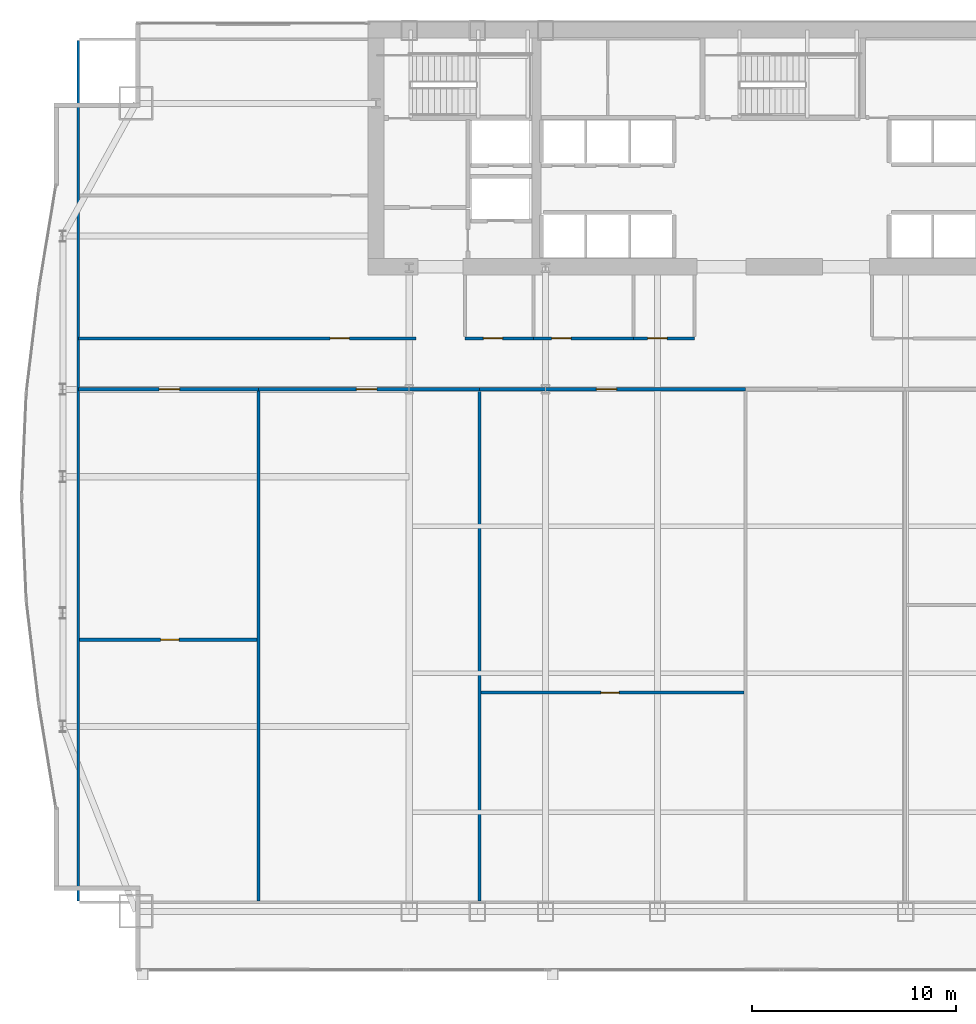
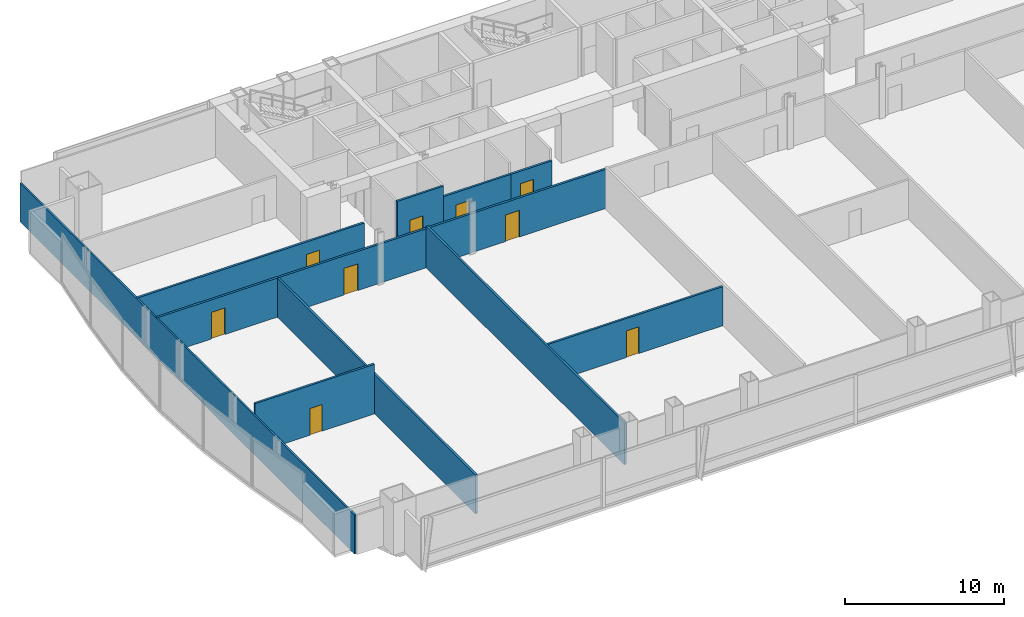
# One storey, part 26 of 32: 12 walls, 9 doors, 9 openings.
"""IFC4 building model written with IfcOpenShell, lengths in metres."""

from ifc_helpers import new_model, si_unit, direction, frame, frame_2d, origin, place, context, subcontext, project, spatial, rectangle, extrude, material, layer, layer_set, type_object, element, fill, save


model = new_model("IFC4")

# Units and contexts
model_context = context("Model", 3, precision=1e-05, world=origin(), true_north=direction((0.0, 1.0)))
body_context = subcontext(model_context, "Body", "Model", "MODEL_VIEW")
ifc_project = project(units=[si_unit("LENGTHUNIT", "METRE"), si_unit("AREAUNIT", "SQUARE_METRE"), si_unit("VOLUMEUNIT", "CUBIC_METRE"), si_unit("PLANEANGLEUNIT", "RADIAN"), si_unit("MASSUNIT", "GRAM", prefix="KILO")], contexts=[model_context])

# Site, building, storey
site_placement = place(None, origin())
site = spatial("IfcSite", under=ifc_project, at=site_placement, CompositionType="ELEMENT")
building_placement = place(site_placement, origin())
building = spatial("IfcBuilding", under=site, at=building_placement, Name="Khoronbel Lancet Exchange", CompositionType="ELEMENT")
storey_placement = place(building_placement, frame((0.0, 0.0, 65.800048828125)))
storey = spatial("IfcBuildingStorey", under=building, at=storey_placement, Name="L15", CompositionType="ELEMENT", Elevation=65.800048828125)

# Wall, opening, door
ifc_material_1 = material(Name="Acoustic Metal-Stud & Mineral-Wool Gypsum Partition 120 mm", Category="gypsum")
ifc_layer_1 = layer(ifc_material_1, 0.1201171875, Name="Acoustic Metal-Stud & Mineral-Wool Gypsum Partition 120 mm")
ifc_layer_set_1 = layer_set([ifc_layer_1], Name="Acoustic Metal-Stud & Mineral-Wool Gypsum Partition 120 mm")
wall_type_1 = type_object("IfcWallType", Name="WL-PRT120", PredefinedType="PARTITIONING", material=ifc_layer_set_1)
wall_1_placement = place(storey_placement, frame((2.094970703125, 23.445068359375, 0.0), z_axis=(0.0, 0.0, 1.0), x_axis=(1.0, 0.0, 0.0)))
wall_1 = element("IfcWall", 1, at=wall_1_placement, inside=storey, type_object=wall_type_1, Name="Level L15 interior partition PW-Z1S-H1", PredefinedType="PARTITIONING", context=body_context, shape_type="SweptSolid", body=[
    extrude(rectangle(XDim=8.66845703125, YDim=0.14990234375, at=frame_2d((4.334228515625, 0.0))), origin(), (0.0, 0.0, 1.0), 3.820068359375),
])
opening_1_placement = place(wall_1_placement, frame((3.966064453125, 0.0, 0.0)))
opening_1 = element("IfcOpeningElement", 2, at=opening_1_placement, cuts=wall_1, Name="Opening D5", PredefinedType="OPENING", context=body_context, shape_type="SweptSolid", body=[
    extrude(rectangle(XDim=0.89990234375, YDim=2.050048828125, at=frame_2d((0.449951171875, 1.02490234375))), frame((0.0, 0.0849609375, 0.0), z_axis=(0.0, -1.0, 0.0), x_axis=(1.0, 0.0, 0.0)), (0.0, 0.0, 1.0), 0.169921875),
])
ifc_material_2 = material(Name="Acoustic Timber Pantry & Support Door", Category="wood")
door_type_1 = type_object("IfcDoorType", Name="DR-D5", OperationType="NOTDEFINED", PredefinedType="DOOR", material=ifc_material_2)
door_1_placement = place(opening_1_placement, origin())
door_1 = element("IfcDoor", 3, at=door_1_placement, inside=storey, type_object=door_type_1, Name="Z1S inner door 1 L15-1", OperationType="SINGLE_SWING_LEFT", OverallHeight=2.050048828125, OverallWidth=0.89990234375, PredefinedType="DOOR", context=body_context, shape_type="SweptSolid", body=[
    extrude(rectangle(XDim=0.89990234375, YDim=2.050048828125, at=frame_2d((0.449951171875, 1.02490234375))), frame((0.0, 0.02490234375, 0.0), z_axis=(0.0, -1.0, 0.0), x_axis=(1.0, 0.0, 0.0)), (0.0, 0.0, 1.0), 0.050048828125),
])
fill(opening_1, door_1)

wall_2_placement = place(storey_placement, frame((21.74365234375, 20.860595703125, 0.0), z_axis=(0.0, 0.0, 1.0), x_axis=(1.0, 0.0, 0.0)))
wall_2 = element("IfcWall", 4, at=wall_2_placement, inside=storey, type_object=wall_type_1, Name="Level L15 interior partition PW-Z1S-H3", PredefinedType="PARTITIONING", context=body_context, shape_type="SweptSolid", body=[
    extrude(rectangle(XDim=12.85693359375, YDim=0.14990234375, at=frame_2d((6.428466796875, 0.0))), origin(), (0.0, 0.0, 1.0), 3.010009765625),
])
opening_2_placement = place(wall_2_placement, frame((5.857666015625, 0.0, 0.0)))
opening_2 = element("IfcOpeningElement", 5, at=opening_2_placement, cuts=wall_2, Name="Opening D5", PredefinedType="OPENING", context=body_context, shape_type="SweptSolid", body=[
    extrude(rectangle(XDim=0.89990234375, YDim=2.050048828125, at=frame_2d((0.449951171875, 1.02490234375))), frame((0.0, 0.0849609375, 0.0), z_axis=(0.0, -1.0, 0.0), x_axis=(1.0, 0.0, 0.0)), (0.0, 0.0, 1.0), 0.169921875),
])
door_2_placement = place(opening_2_placement, origin())
door_2 = element("IfcDoor", 6, at=door_2_placement, inside=storey, type_object=door_type_1, Name="Z1S inner door 3 L15-1", OperationType="SINGLE_SWING_RIGHT", OverallHeight=2.050048828125, OverallWidth=0.89990234375, PredefinedType="DOOR", context=body_context, shape_type="SweptSolid", body=[
    extrude(rectangle(XDim=0.89990234375, YDim=2.050048828125, at=frame_2d((0.449951171875, 1.02490234375))), frame((0.0, 0.02490234375, 0.0), z_axis=(0.0, -1.0, 0.0), x_axis=(1.0, 0.0, 0.0)), (0.0, 0.0, 1.0), 0.050048828125),
])
fill(opening_2, door_2)

# Wall
wall_3_placement = place(storey_placement, frame((2.030029296875, 10.6650390625, 0.0), z_axis=(0.0, 0.0, 1.0), x_axis=(0.0, 1.0, 0.0)))
element("IfcWall", 7, at=wall_3_placement, inside=storey, type_object=wall_type_1, Name="Level L15 interior partition PW-LIN-W", PredefinedType="PARTITIONING", context=body_context, shape_type="SweptSolid", body=[
    extrude(rectangle(XDim=42.10986328125, YDim=0.1201171875, at=frame_2d((21.054931640625, 0.0))), origin(), (0.0, 0.0, 1.0), 3.010009765625),
])

# Wall, opening, door
ifc_material_3 = material(Name="Fire-Rated Twin-Stud Acoustic Gypsum Partition 150 mm", Category="gypsum")
ifc_layer_2 = layer(ifc_material_3, 0.14990234375, Name="Fire-Rated Twin-Stud Acoustic Gypsum Partition 150 mm")
ifc_layer_set_2 = layer_set([ifc_layer_2], Name="Fire-Rated Twin-Stud Acoustic Gypsum Partition 150 mm")
wall_type_2 = type_object("IfcWallType", Name="WL-PRT150C", PredefinedType="PARTITIONING", material=ifc_layer_set_2)
wall_4_placement = place(storey_placement, frame((20.949951171875, 38.199951171875, 0.0), z_axis=(0.0, 0.0, 1.0), x_axis=(1.0, 0.0, 0.0)))
wall_4 = element("IfcWall", 8, at=wall_4_placement, inside=storey, type_object=wall_type_2, Name="Level L15 interior partition PW-WC-S1", PredefinedType="PARTITIONING", context=body_context, shape_type="SweptSolid", body=[
    extrude(rectangle(XDim=3.35009765625, YDim=0.14990234375, at=frame_2d((1.675048828125, 0.0))), origin(), (0.0, 0.0, 1.0), 3.820068359375),
])
opening_3_placement = place(wall_4_placement, frame((0.89990234375, 0.0, 0.0)))
opening_3 = element("IfcOpeningElement", 9, at=opening_3_placement, cuts=wall_4, Name="Opening D4", PredefinedType="OPENING", context=body_context, shape_type="SweptSolid", body=[
    extrude(rectangle(XDim=0.949951171875, YDim=2.050048828125, at=frame_2d((0.47509765625, 1.02490234375))), frame((0.0, 0.0849609375, 0.0), z_axis=(0.0, -1.0, 0.0), x_axis=(1.0, 0.0, 0.0)), (0.0, 0.0, 1.0), 0.169921875),
])
ifc_material_4 = material(Name="Moisture-Resistant HPL Washroom Door", Category="wood")
door_type_2 = type_object("IfcDoorType", Name="DR-D4", OperationType="NOTDEFINED", PredefinedType="DOOR", material=ifc_material_4)
door_3_placement = place(opening_3_placement, origin())
door_3 = element("IfcDoor", 10, at=door_3_placement, inside=storey, type_object=door_type_2, Name="Male washroom door L15-1", OperationType="SINGLE_SWING_LEFT", OverallHeight=2.050048828125, OverallWidth=0.949951171875, PredefinedType="DOOR", context=body_context, shape_type="SweptSolid", body=[
    extrude(rectangle(XDim=0.949951171875, YDim=2.050048828125, at=frame_2d((0.47509765625, 1.02490234375))), frame((0.0, 0.02490234375, 0.0), z_axis=(0.0, -1.0, 0.0), x_axis=(1.0, 0.0, 0.0)), (0.0, 0.0, 1.0), 0.050048828125),
])
fill(opening_3, door_3)

wall_5_placement = place(storey_placement, frame((24.300048828125, 38.199951171875, 0.0), z_axis=(0.0, 0.0, 1.0), x_axis=(1.0, 0.0, 0.0)))
wall_5 = element("IfcWall", 11, at=wall_5_placement, inside=storey, type_object=wall_type_2, Name="Level L15 interior partition PW-WC-S2", PredefinedType="PARTITIONING", context=body_context, shape_type="SweptSolid", body=[
    extrude(rectangle(XDim=4.89990234375, YDim=0.14990234375, at=frame_2d((2.449951171875, 0.0))), origin(), (0.0, 0.0, 1.0), 3.010009765625),
])
opening_4_placement = place(wall_5_placement, frame((0.89990234375, 0.0, 0.0)))
opening_4 = element("IfcOpeningElement", 12, at=opening_4_placement, cuts=wall_5, Name="Opening D4", PredefinedType="OPENING", context=body_context, shape_type="SweptSolid", body=[
    extrude(rectangle(XDim=0.949951171875, YDim=2.050048828125, at=frame_2d((0.47509765625, 1.02490234375))), frame((0.0, 0.0849609375, 0.0), z_axis=(0.0, -1.0, 0.0), x_axis=(1.0, 0.0, 0.0)), (0.0, 0.0, 1.0), 0.169921875),
])
door_4_placement = place(opening_4_placement, origin())
door_4 = element("IfcDoor", 13, at=door_4_placement, inside=storey, type_object=door_type_2, Name="Female washroom door L15-1", OperationType="SINGLE_SWING_RIGHT", OverallHeight=2.050048828125, OverallWidth=0.949951171875, PredefinedType="DOOR", context=body_context, shape_type="SweptSolid", body=[
    extrude(rectangle(XDim=0.949951171875, YDim=2.050048828125, at=frame_2d((0.47509765625, 1.02490234375))), frame((0.0, 0.02490234375, 0.0), z_axis=(0.0, -1.0, 0.0), x_axis=(1.0, 0.0, 0.0)), (0.0, 0.0, 1.0), 0.050048828125),
])
fill(opening_4, door_4)

wall_6_placement = place(storey_placement, frame((29.199951171875, 38.199951171875, 0.0), z_axis=(0.0, 0.0, 1.0), x_axis=(1.0, 0.0, 0.0)))
wall_6 = element("IfcWall", 14, at=wall_6_placement, inside=storey, type_object=wall_type_2, Name="Level L15 interior partition PW-WC-S3", PredefinedType="PARTITIONING", context=body_context, shape_type="SweptSolid", body=[
    extrude(rectangle(XDim=2.97998046875, YDim=0.14990234375, at=frame_2d((1.489990234375, 0.0))), origin(), (0.0, 0.0, 1.0), 3.010009765625),
])
opening_5_placement = place(wall_6_placement, frame((0.699951171875, 0.0, 0.0)))
opening_5 = element("IfcOpeningElement", 15, at=opening_5_placement, cuts=wall_6, Name="Opening D4", PredefinedType="OPENING", context=body_context, shape_type="SweptSolid", body=[
    extrude(rectangle(XDim=0.949951171875, YDim=2.050048828125, at=frame_2d((0.47509765625, 1.02490234375))), frame((0.0, 0.0849609375, 0.0), z_axis=(0.0, -1.0, 0.0), x_axis=(1.0, 0.0, 0.0)), (0.0, 0.0, 1.0), 0.169921875),
])
door_5_placement = place(opening_5_placement, origin())
door_5 = element("IfcDoor", 16, at=door_5_placement, inside=storey, type_object=door_type_2, Name="Accessible WC door L15-1", OperationType="SINGLE_SWING_LEFT", OverallHeight=2.050048828125, OverallWidth=0.949951171875, PredefinedType="DOOR", context=body_context, shape_type="SweptSolid", body=[
    extrude(rectangle(XDim=0.949951171875, YDim=2.050048828125, at=frame_2d((0.47509765625, 1.02490234375))), frame((0.0, 0.02490234375, 0.0), z_axis=(0.0, -1.0, 0.0), x_axis=(1.0, 0.0, 0.0)), (0.0, 0.0, 1.0), 0.050048828125),
])
fill(opening_5, door_5)

wall_7_placement = place(storey_placement, frame((2.030029296875, 38.199951171875, 0.0), z_axis=(0.0, 0.0, 1.0), x_axis=(1.0, 0.0, 0.0)))
wall_7 = element("IfcWall", 17, at=wall_7_placement, inside=storey, type_object=wall_type_2, Name="Level L15 interior partition PW-NW-S", PredefinedType="PARTITIONING", context=body_context, shape_type="SweptSolid", body=[
    extrude(rectangle(XDim=16.52001953125, YDim=0.14990234375, at=frame_2d((8.260009765625, 0.0))), origin(), (0.0, 0.0, 1.0), 3.010009765625),
])
opening_6_placement = place(wall_7_placement, frame((12.320068359375, 0.0, 0.0)))
opening_6 = element("IfcOpeningElement", 18, at=opening_6_placement, cuts=wall_7, Name="Opening D1", PredefinedType="OPENING", context=body_context, shape_type="SweptSolid", body=[
    extrude(rectangle(XDim=0.949951171875, YDim=2.050048828125, at=frame_2d((0.47509765625, 1.02490234375))), frame((0.0, 0.0849609375, 0.0), z_axis=(0.0, -1.0, 0.0), x_axis=(1.0, 0.0, 0.0)), (0.0, 0.0, 1.0), 0.169921875),
])
ifc_material_5 = material(Name="Acoustic Veneered Timber & Bronze Frame Door", Category="wood")
door_type_3 = type_object("IfcDoorType", Name="DR-D1", OperationType="NOTDEFINED", PredefinedType="DOOR", material=ifc_material_5)
door_6_placement = place(opening_6_placement, origin())
door_6 = element("IfcDoor", 19, at=door_6_placement, inside=storey, type_object=door_type_3, Name="NW corner room door L15-1", OperationType="SINGLE_SWING_RIGHT", OverallHeight=2.050048828125, OverallWidth=0.949951171875, PredefinedType="DOOR", context=body_context, shape_type="SweptSolid", body=[
    extrude(rectangle(XDim=0.949951171875, YDim=2.050048828125, at=frame_2d((0.47509765625, 1.02490234375))), frame((0.0, 0.02490234375, 0.0), z_axis=(0.0, -1.0, 0.0), x_axis=(1.0, 0.0, 0.0)), (0.0, 0.0, 1.0), 0.050048828125),
])
fill(opening_6, door_6)

# Walls
wall_8_placement = place(storey_placement, frame((10.843505859375, 10.6650390625, 0.0), z_axis=(0.0, 0.0, 1.0), x_axis=(0.0, 1.0, 0.0)))
element("IfcWall", 20, at=wall_8_placement, inside=storey, type_object=wall_type_2, Name="Level L15 interior partition PW-Z1S-V1", PredefinedType="PARTITIONING", context=body_context, shape_type="SweptSolid", body=[
    extrude(rectangle(XDim=24.949951171875, YDim=0.14990234375, at=frame_2d((12.47509765625, 0.0))), origin(), (0.0, 0.0, 1.0), 3.010009765625),
])
wall_9_placement = place(storey_placement, frame((21.663818359375, 10.6650390625, 0.0), z_axis=(0.0, 0.0, 1.0), x_axis=(0.0, 1.0, 0.0)))
element("IfcWall", 21, at=wall_9_placement, inside=storey, type_object=wall_type_2, Name="Level L15 interior partition PW-Z1S-V2", PredefinedType="PARTITIONING", context=body_context, shape_type="SweptSolid", body=[
    extrude(rectangle(XDim=24.949951171875, YDim=0.14990234375, at=frame_2d((12.47509765625, 0.0))), origin(), (0.0, 0.0, 1.0), 3.2099609375),
])

# Wall, opening, door
ifc_material_6 = material(Name="Fire-Rated Twin-Stud Acoustic Gypsum Partition 160 mm", Category="gypsum")
ifc_layer_3 = layer(ifc_material_6, 0.159912109375, Name="Fire-Rated Twin-Stud Acoustic Gypsum Partition 160 mm")
ifc_layer_set_3 = layer_set([ifc_layer_3], Name="Fire-Rated Twin-Stud Acoustic Gypsum Partition 160 mm")
wall_type_3 = type_object("IfcWallType", Name="WL-PRT160C", PredefinedType="PARTITIONING", material=ifc_layer_set_3)
wall_10_placement = place(storey_placement, frame((2.030029296875, 35.699951171875, 0.0), z_axis=(0.0, 0.0, 1.0), x_axis=(1.0, 0.0, 0.0)))
wall_10 = element("IfcWall", 22, at=wall_10_placement, inside=storey, type_object=wall_type_3, Name="Level L15 interior partition PW-Z1S-COR1", PredefinedType="PARTITIONING", context=body_context, shape_type="SweptSolid", body=[
    extrude(rectangle(XDim=8.8134765625, YDim=0.159912109375, at=frame_2d((4.40673828125, 0.0))), origin(), (0.0, 0.0, 1.0), 3.010009765625),
])
opening_7_placement = place(wall_10_placement, frame((3.95166015625, 0.0, 0.0)))
opening_7 = element("IfcOpeningElement", 23, at=opening_7_placement, cuts=wall_10, Name="Opening D2", PredefinedType="OPENING", context=body_context, shape_type="SweptSolid", body=[
    extrude(rectangle(XDim=1.0, YDim=2.050048828125, at=frame_2d((0.5, 1.02490234375))), frame((0.0, 0.08984375, 0.0), z_axis=(0.0, -1.0, 0.0), x_axis=(1.0, 0.0, 0.0)), (0.0, 0.0, 1.0), 0.179931640625),
])
door_type_4 = type_object("IfcDoorType", Name="DR-D2", OperationType="NOTDEFINED", PredefinedType="DOOR", material=ifc_material_5)
door_7_placement = place(opening_7_placement, origin())
door_7 = element("IfcDoor", 24, at=door_7_placement, inside=storey, type_object=door_type_4, Name="Z1S bay 1 door L15-1", OperationType="SINGLE_SWING_RIGHT", OverallHeight=2.050048828125, OverallWidth=1.0, PredefinedType="DOOR", context=body_context, shape_type="SweptSolid", body=[
    extrude(rectangle(XDim=1.0, YDim=2.050048828125, at=frame_2d((0.5, 1.02490234375))), frame((0.0, 0.02490234375, 0.0), z_axis=(0.0, -1.0, 0.0), x_axis=(1.0, 0.0, 0.0)), (0.0, 0.0, 1.0), 0.050048828125),
])
fill(opening_7, door_7)

wall_11_placement = place(storey_placement, frame((10.843505859375, 35.699951171875, 0.0), z_axis=(0.0, 0.0, 1.0), x_axis=(1.0, 0.0, 0.0)))
wall_11 = element("IfcWall", 25, at=wall_11_placement, inside=storey, type_object=wall_type_3, Name="Level L15 interior partition PW-Z1S-COR2", PredefinedType="PARTITIONING", context=body_context, shape_type="SweptSolid", body=[
    extrude(rectangle(XDim=10.8203125, YDim=0.159912109375, at=frame_2d((5.41015625, 0.0))), origin(), (0.0, 0.0, 1.0), 3.010009765625),
])
opening_8_placement = place(wall_11_placement, frame((4.79443359375, 0.0, 0.0)))
opening_8 = element("IfcOpeningElement", 26, at=opening_8_placement, cuts=wall_11, Name="Opening D2", PredefinedType="OPENING", context=body_context, shape_type="SweptSolid", body=[
    extrude(rectangle(XDim=1.0, YDim=2.050048828125, at=frame_2d((0.5, 1.02490234375))), frame((0.0, 0.08984375, 0.0), z_axis=(0.0, -1.0, 0.0), x_axis=(1.0, 0.0, 0.0)), (0.0, 0.0, 1.0), 0.179931640625),
])
door_8_placement = place(opening_8_placement, origin())
door_8 = element("IfcDoor", 27, at=door_8_placement, inside=storey, type_object=door_type_4, Name="Z1S bay 2 door L15-1", OperationType="SINGLE_SWING_RIGHT", OverallHeight=2.050048828125, OverallWidth=1.0, PredefinedType="DOOR", context=body_context, shape_type="SweptSolid", body=[
    extrude(rectangle(XDim=1.0, YDim=2.050048828125, at=frame_2d((0.5, 1.02490234375))), frame((0.0, 0.02490234375, 0.0), z_axis=(0.0, -1.0, 0.0), x_axis=(1.0, 0.0, 0.0)), (0.0, 0.0, 1.0), 0.050048828125),
])
fill(opening_8, door_8)

wall_12_placement = place(storey_placement, frame((21.663818359375, 35.699951171875, 0.0), z_axis=(0.0, 0.0, 1.0), x_axis=(1.0, 0.0, 0.0)))
wall_12 = element("IfcWall", 28, at=wall_12_placement, inside=storey, type_object=wall_type_3, Name="Level L15 interior partition PW-Z1S-COR3", PredefinedType="PARTITIONING", context=body_context, shape_type="SweptSolid", body=[
    extrude(rectangle(XDim=13.0166015625, YDim=0.159912109375, at=frame_2d((6.50830078125, 0.0))), origin(), (0.0, 0.0, 1.0), 3.010009765625),
])
opening_9_placement = place(wall_12_placement, frame((5.717041015625, 0.0, 0.0)))
opening_9 = element("IfcOpeningElement", 29, at=opening_9_placement, cuts=wall_12, Name="Opening D2", PredefinedType="OPENING", context=body_context, shape_type="SweptSolid", body=[
    extrude(rectangle(XDim=1.0, YDim=2.050048828125, at=frame_2d((0.5, 1.02490234375))), frame((0.0, 0.08984375, 0.0), z_axis=(0.0, -1.0, 0.0), x_axis=(1.0, 0.0, 0.0)), (0.0, 0.0, 1.0), 0.179931640625),
])
door_9_placement = place(opening_9_placement, origin())
door_9 = element("IfcDoor", 30, at=door_9_placement, inside=storey, type_object=door_type_4, Name="Z1S bay 3 door L15-1", OperationType="SINGLE_SWING_LEFT", OverallHeight=2.050048828125, OverallWidth=1.0, PredefinedType="DOOR", context=body_context, shape_type="SweptSolid", body=[
    extrude(rectangle(XDim=1.0, YDim=2.050048828125, at=frame_2d((0.5, 1.02490234375))), frame((0.0, 0.02490234375, 0.0), z_axis=(0.0, -1.0, 0.0), x_axis=(1.0, 0.0, 0.0)), (0.0, 0.0, 1.0), 0.050048828125),
])
fill(opening_9, door_9)

save(model, "model.ifc")
